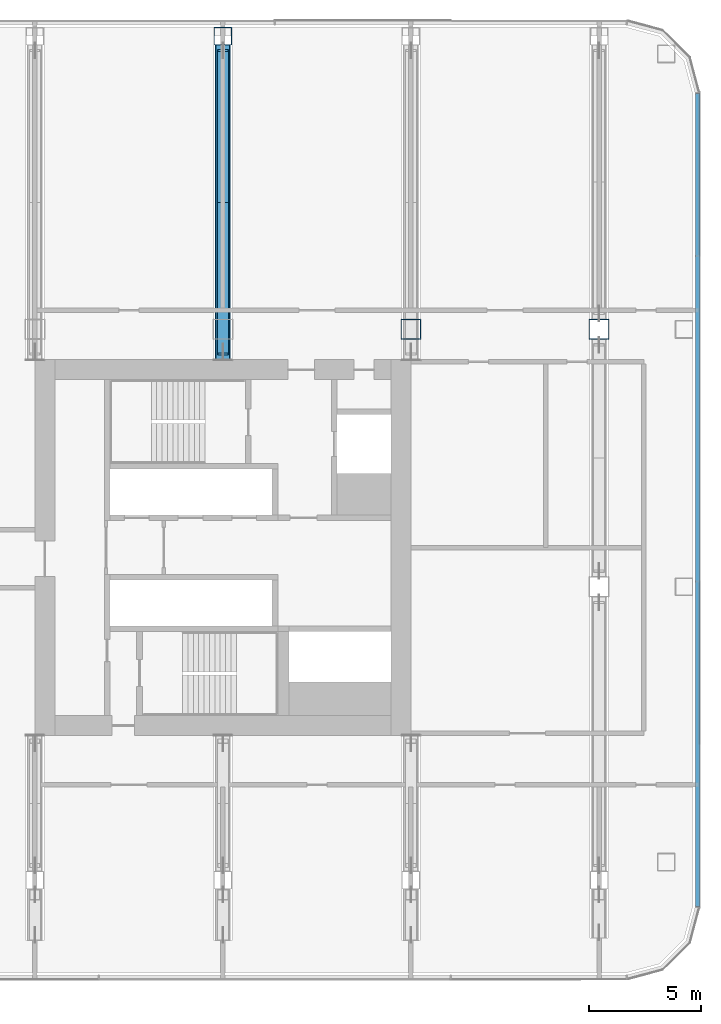
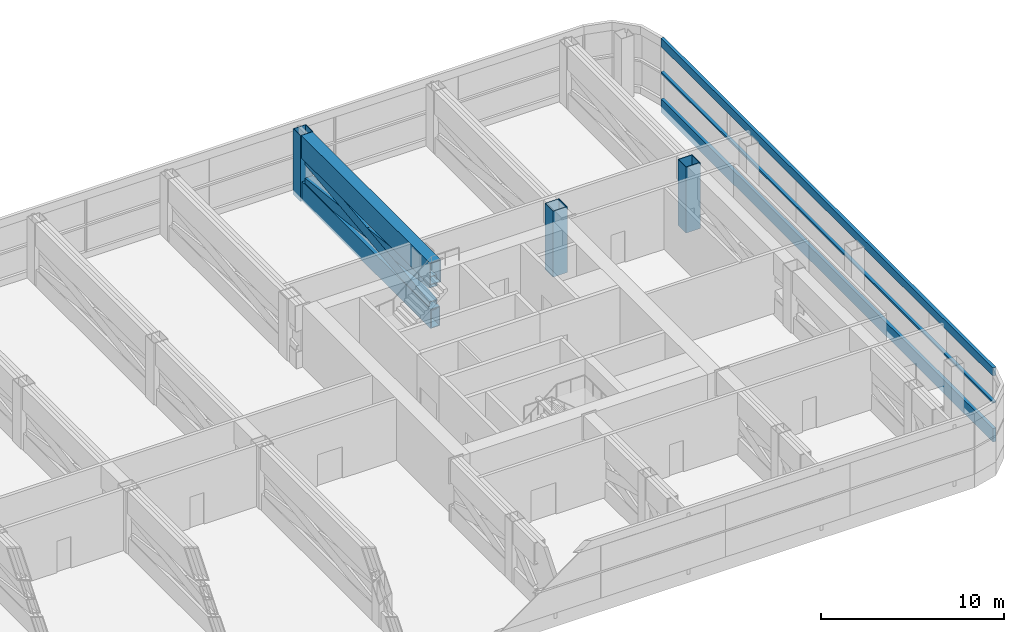
# One storey, part 15 of 31: 10 members, 1 element without a shape of its own.
"""IFC4 building model written with IfcOpenShell, lengths in metres."""

from ifc_helpers import new_model, si_unit, direction, frame, origin, origin_2d, place, context, subcontext, project, spatial, rectangle, hollow_rectangle, extrude, material, layer, layer_set, material_profile, profile_set, type_object, element, aggregate, save


model = new_model("IFC4")

# Units and contexts
model_context = context("Model", 3, precision=1e-05, world=origin(), true_north=direction((0.0, 1.0)))
body_context = subcontext(model_context, "Body", "Model", "MODEL_VIEW")
ifc_project = project(units=[si_unit("LENGTHUNIT", "METRE"), si_unit("AREAUNIT", "SQUARE_METRE"), si_unit("VOLUMEUNIT", "CUBIC_METRE"), si_unit("PLANEANGLEUNIT", "RADIAN"), si_unit("MASSUNIT", "GRAM", prefix="KILO")], contexts=[model_context])

# Site, building, storey
site_placement = place(None, origin())
site = spatial("IfcSite", under=ifc_project, at=site_placement, CompositionType="ELEMENT")
building_placement = place(site_placement, origin())
building = spatial("IfcBuilding", under=site, at=building_placement, Name="Hakoniwa Tower and Hamabe Station Hall", CompositionType="ELEMENT")
storey_placement = place(building_placement, frame((0.0, 0.0, 120.199951171875)))
storey = spatial("IfcBuildingStorey", under=building, at=storey_placement, Name="L34", CompositionType="ELEMENT", Elevation=120.199951171875)

# Curtain wall, members
ifc_material_1 = material(Name="Dark low-e laminated glass", Category="glass")
ifc_layer = layer(ifc_material_1, 0.199951171875)
ifc_layer_set = layer_set([ifc_layer], Name="CW-6 PLANT LOUVRE")
curtain_wall_type = type_object("IfcCurtainWallType", Name="CW-6 PLANT LOUVRE", PredefinedType="NOTDEFINED", material=ifc_layer_set)
curtain_wall_placement = place(storey_placement, origin())
curtain_wall = element("IfcCurtainWall", 1, at=curtain_wall_placement, inside=storey, type_object=curtain_wall_type, Name="CW-6 curtain wall", PredefinedType="NOTDEFINED")
ifc_material_2 = material(Name="Aluminium 6063-T5 black anodised", Category="aluminium")
ifc_material_profile_1 = material_profile(ifc_material_2, rectangle(XDim=0.199951171875, YDim=0.550048828125, at=origin_2d()), Name="CW HEAD BAND 550X200")
ifc_profile_set_1 = profile_set([ifc_material_profile_1], Name="Aluminium 6063-T5 black anodised")
member_type_1 = type_object("IfcMemberType", Name="CW HEAD BAND 550X200", PredefinedType="USERDEFINED", material=ifc_profile_set_1)
member_1_placement = place(storey_placement, frame((46.39990234375, -16.03955078125, 4.125), z_axis=(0.0, 1.0, 0.0), x_axis=(-1.0, 0.0, 0.0)))
member_1 = element("IfcMember", 2, at=member_1_placement, type_object=member_type_1, Name="CW-6 transom", ObjectType="TRANSOM", PredefinedType="USERDEFINED", context=body_context, shape_type="SweptSolid", body=[
    extrude(rectangle(XDim=0.199951171875, YDim=0.550048828125, at=origin_2d()), origin(), (0.0, 0.0, 1.0), 36.3291015625),
])
ifc_material_3 = material(Name="Aluminium 6063-T5 black anodised", Category="aluminium")
ifc_material_profile_2 = material_profile(ifc_material_3, rectangle(XDim=0.199951171875, YDim=0.1201171875, at=origin_2d()), Name="CW MID TRANSOM 120X200")
ifc_profile_set_2 = profile_set([ifc_material_profile_2], Name="Aluminium 6063-T5 black anodised")
member_type_2 = type_object("IfcMemberType", Name="CW MID TRANSOM 120X200", PredefinedType="USERDEFINED", material=ifc_profile_set_2)
member_2_placement = place(storey_placement, frame((46.39990234375, -16.03955078125, 2.10009765625), z_axis=(0.0, 1.0, 0.0), x_axis=(-1.0, 0.0, 0.0)))
member_2 = element("IfcMember", 3, at=member_2_placement, type_object=member_type_2, Name="CW-6 transom", ObjectType="TRANSOM", PredefinedType="USERDEFINED", context=body_context, shape_type="SweptSolid", body=[
    extrude(rectangle(XDim=0.199951171875, YDim=0.1201171875, at=origin_2d()), origin(), (0.0, 0.0, 1.0), 36.3291015625),
])
ifc_material_4 = material(Name="Aluminium 6063-T5 black anodised", Category="aluminium")
ifc_material_profile_3 = material_profile(ifc_material_4, rectangle(XDim=0.199951171875, YDim=0.89990234375, at=origin_2d()), Name="CW SLAB-EDGE BAND 900X200")
ifc_profile_set_3 = profile_set([ifc_material_profile_3], Name="Aluminium 6063-T5 black anodised")
member_type_3 = type_object("IfcMemberType", Name="CW SLAB-EDGE BAND 900X200", PredefinedType="USERDEFINED", material=ifc_profile_set_3)
member_3_placement = place(storey_placement, frame((46.39990234375, -16.03955078125, -0.099853515625), z_axis=(0.0, 1.0, 0.0), x_axis=(-1.0, 0.0, 0.0)))
member_3 = element("IfcMember", 4, at=member_3_placement, type_object=member_type_3, Name="CW-6 transom", ObjectType="TRANSOM", PredefinedType="USERDEFINED", context=body_context, shape_type="SweptSolid", body=[
    extrude(rectangle(XDim=0.199951171875, YDim=0.89990234375, at=origin_2d()), origin(), (0.0, 0.0, 1.0), 36.3291015625),
])
aggregate(curtain_wall, [member_3, member_2, member_1])

# Members
ifc_material_5 = material(Name="Steel SN490C", Category="steel")
ifc_material_profile_4 = material_profile(ifc_material_5, hollow_rectangle(XDim=0.60009765625, YDim=1.300048828125, WallThickness=0.050048828125, at=origin_2d()), Name="BX-1300x600x50")
ifc_profile_set_4 = profile_set([ifc_material_profile_4], Name="Steel SN490C")
member_type_4 = type_object("IfcMemberType", Name="TRUSS CHORD BX-1300x600x50", PredefinedType="CHORD", material=ifc_profile_set_4)
member_4_placement = place(storey_placement, frame((25.199951171875, 8.39990234375, 0.35009765625), z_axis=(0.0, 1.0, 0.0), x_axis=(-1.0, 0.0, 0.0)))
element("IfcMember", 5, at=member_4_placement, inside=storey, type_object=member_type_4, Name="Truss T2-17-BC01", PredefinedType="CHORD", context=body_context, shape_type="SweptSolid", body=[
    extrude(hollow_rectangle(XDim=0.60009765625, YDim=1.300048828125, WallThickness=0.050048828125, at=origin_2d()), origin(), (0.0, 0.0, 1.0), 14.050048828125),
])
ifc_material_6 = material(Name="Steel SN490C", Category="steel")
ifc_material_profile_5 = material_profile(ifc_material_6, hollow_rectangle(XDim=0.699951171875, YDim=1.5, WallThickness=0.054931640625, at=origin_2d()), Name="BX-1500x700x55")
ifc_profile_set_5 = profile_set([ifc_material_profile_5], Name="Steel SN490C")
member_type_5 = type_object("IfcMemberType", Name="TRUSS CHORD BX-1500x700x55", PredefinedType="CHORD", material=ifc_profile_set_5)
member_5_placement = place(storey_placement, frame((25.199951171875, 8.39990234375, 3.35009765625), z_axis=(0.0, 1.0, 0.0), x_axis=(-1.0, 0.0, 0.0)))
element("IfcMember", 6, at=member_5_placement, inside=storey, type_object=member_type_5, Name="Truss T2-17-TC01", PredefinedType="CHORD", context=body_context, shape_type="SweptSolid", body=[
    extrude(hollow_rectangle(XDim=0.699951171875, YDim=1.5, WallThickness=0.054931640625, at=origin_2d()), origin(), (0.0, 0.0, 1.0), 14.050048828125),
])
ifc_material_7 = material(Name="Steel SN490C", Category="steel")
ifc_material_profile_6 = material_profile(ifc_material_7, hollow_rectangle(XDim=0.5, YDim=0.699951171875, WallThickness=0.031982421875, at=origin_2d()), Name="BX-700x500x32")
ifc_profile_set_6 = profile_set([ifc_material_profile_6], Name="Steel SN490C")
member_type_6 = type_object("IfcMemberType", Name="TRUSS DIAGONAL BX-700x500x32", PredefinedType="BRACE", material=ifc_profile_set_6)
for number, where, z_axis, x_axis, name in (
    (7, (25.199951171875, 8.64990234375, 1.0), (0.0, 0.993099700587, 0.117273120082), (-1.0, 0.0, 0.0), "Truss T2-17-D01a"),
    (8, (25.199951171875, 8.64990234375, 2.60009765625), (0.0, 0.993099700587, -0.117273120082), (-1.0, 0.0, 0.0), "Truss T2-17-D01b"),
):
    element("IfcMember", number, at=place(storey_placement, frame(where, z_axis=z_axis, x_axis=x_axis)), inside=storey, type_object=member_type_6, Name=name, PredefinedType="BRACE", context=body_context, shape_type="SweptSolid", body=[
        extrude(hollow_rectangle(XDim=0.5, YDim=0.699951171875, WallThickness=0.031982421875, at=origin_2d()), origin(), (0.0, 0.0, 1.0), 13.644287109375),
    ])
ifc_material_8 = material(Name="Steel SN490C", Category="steel")
ifc_material_profile_7 = material_profile(ifc_material_8, hollow_rectangle(XDim=0.800048828125, YDim=0.800048828125, WallThickness=0.031982421875, at=origin_2d()), Name="BX-800x800x32")
ifc_profile_set_7 = profile_set([ifc_material_profile_7], Name="Steel SN490C")
member_type_7 = type_object("IfcMemberType", Name="TRUSS POST BX-800x800x32", PredefinedType="POST", material=ifc_profile_set_7)
member_6_placement = place(storey_placement, frame((25.199951171875, 22.85009765625, -0.300048828125), z_axis=(0.0, 0.0, 1.0), x_axis=(1.0, 0.0, 0.0)))
element("IfcMember", 9, at=member_6_placement, inside=storey, type_object=member_type_7, Name="Truss T2-17-P03", PredefinedType="POST", context=body_context, shape_type="SweptSolid", body=[
    extrude(hollow_rectangle(XDim=0.800048828125, YDim=0.800048828125, WallThickness=0.031982421875, at=origin_2d()), origin(), (0.0, 0.0, 1.0), 4.400146484375),
])
ifc_material_9 = material(Name="Steel SN490C", Category="steel")
ifc_material_profile_8 = material_profile(ifc_material_9, hollow_rectangle(XDim=0.89990234375, YDim=0.89990234375, WallThickness=0.035888671875, at=origin_2d()), Name="BX-900x900x36")
ifc_profile_set_8 = profile_set([ifc_material_profile_8], Name="Steel SN490C")
member_type_8 = type_object("IfcMemberType", Name="TRUSS POST BX-900x900x36", PredefinedType="POST", material=ifc_profile_set_8)
for number, where, z_axis, x_axis, name in (
    (10, (33.60009765625, 9.75, -0.300048828125), (0.0, 0.0, 1.0), (1.0, 0.0, 0.0), "Truss T2-19-P02"),
    (11, (42.0, 9.75, -0.300048828125), (0.0, 0.0, 1.0), (1.0, 0.0, 0.0), "Truss T2-21-P03"),
):
    element("IfcMember", number, at=place(storey_placement, frame(where, z_axis=z_axis, x_axis=x_axis)), inside=storey, type_object=member_type_8, Name=name, PredefinedType="POST", context=body_context, shape_type="SweptSolid", body=[
        extrude(hollow_rectangle(XDim=0.89990234375, YDim=0.89990234375, WallThickness=0.035888671875, at=origin_2d()), origin(), (0.0, 0.0, 1.0), 4.400146484375),
    ])

save(model, "model.ifc")
